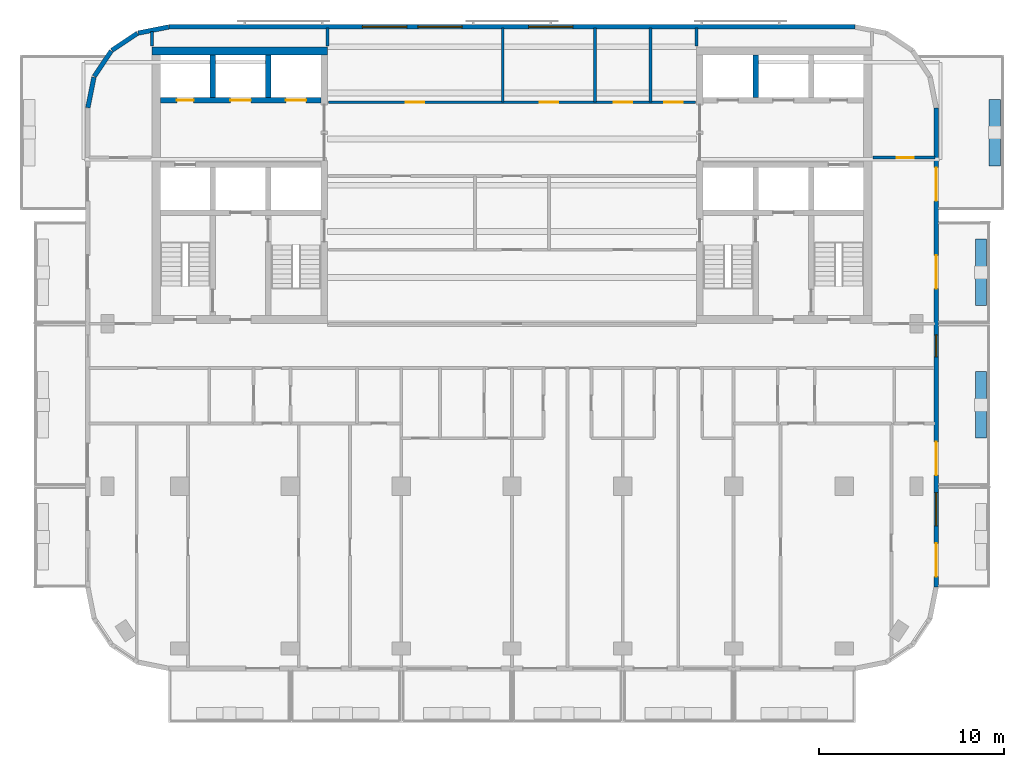
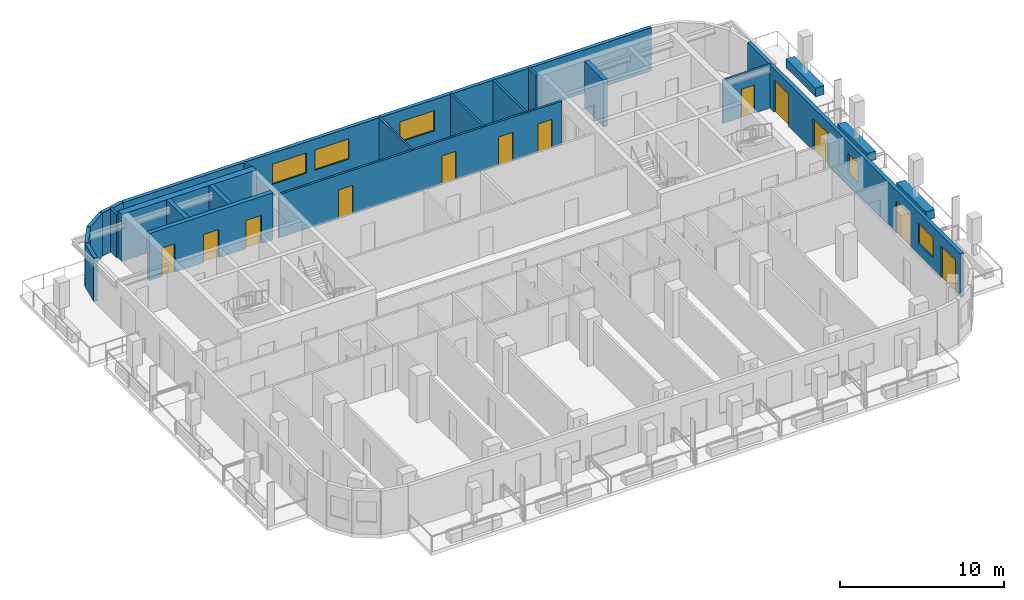
# One storey, part 6 of 11: 22 walls, 12 doors, 5 windows, 17 openings.
"""IFC4 building model written with IfcOpenShell, lengths in metres."""

from ifc_helpers import new_model, si_unit, direction, frame, frame_2d, origin, place, context, subcontext, project, spatial, rectangle, extrude, material, layer, layer_set, type_object, element, fill, save


model = new_model("IFC4")

# Units and contexts
model_context = context("Model", 3, precision=1e-05, world=origin(), true_north=direction((0.0, 1.0)))
body_context = subcontext(model_context, "Body", "Model", "MODEL_VIEW")
ifc_project = project(units=[si_unit("LENGTHUNIT", "METRE"), si_unit("AREAUNIT", "SQUARE_METRE"), si_unit("VOLUMEUNIT", "CUBIC_METRE"), si_unit("PLANEANGLEUNIT", "RADIAN"), si_unit("MASSUNIT", "GRAM", prefix="KILO")], contexts=[model_context])

# Site, building, storey
site_placement = place(None, origin())
site = spatial("IfcSite", under=ifc_project, at=site_placement, CompositionType="ELEMENT")
building_placement = place(site_placement, origin())
building = spatial("IfcBuilding", under=site, at=building_placement, Name="Torana Hotel and Residences", CompositionType="ELEMENT")
storey_placement = place(building_placement, frame((0.0, 0.0, 273.60009765625)))
storey = spatial("IfcBuildingStorey", under=building, at=storey_placement, Name="L72", CompositionType="ELEMENT", Elevation=273.60009765625)

# Wall, openings, doors
ifc_material_1 = material(Name="Concrete C60/75", Category="concrete")
ifc_layer_1 = layer(ifc_material_1, 0.300048828125)
ifc_layer_set_1 = layer_set([ifc_layer_1], Name="CORE WALL 300 C60/75")
wall_type_1 = type_object("IfcWallType", Name="CORE WALL 300 C60/75", PredefinedType="SHEAR", material=ifc_layer_set_1)
wall_1_placement = place(storey_placement, frame((-19.050048828125, -2.89990234375, 0.0), z_axis=(0.0, 0.0, 1.0), x_axis=(1.0, 0.0, 0.0)))
wall_1 = element("IfcWall", 1, at=wall_1_placement, inside=storey, type_object=wall_type_1, Name="Core wall W row-N", PredefinedType="SHEAR", context=body_context, shape_type="SweptSolid", body=[
    extrude(rectangle(XDim=8.699951171875, YDim=0.300048828125, at=frame_2d((4.35009765625, 0.0))), origin(), (0.0, 0.0, 1.0), 3.5),
])
opening_1_placement = place(wall_1_placement, frame((6.800048828125, 0.0, 0.0)))
opening_1 = element("IfcOpeningElement", 2, at=opening_1_placement, cuts=wall_1, Name="Opening LD", PredefinedType="OPENING", context=body_context, shape_type="SweptSolid", body=[
    extrude(rectangle(XDim=1.10009765625, YDim=2.10009765625, at=frame_2d((0.550048828125, 1.050048828125))), frame((0.0, 0.159912109375, 0.0), z_axis=(0.0, -1.0, 0.0), x_axis=(1.0, 0.0, 0.0)), (0.0, 0.0, 1.0), 0.320068359375),
])
opening_2_placement = place(wall_1_placement, frame((3.800048828125, 0.0, 0.0)))
opening_2 = element("IfcOpeningElement", 3, at=opening_2_placement, cuts=wall_1, Name="Opening LD", PredefinedType="OPENING", context=body_context, shape_type="SweptSolid", body=[
    extrude(rectangle(XDim=1.10009765625, YDim=2.10009765625, at=frame_2d((0.550048828125, 1.050048828125))), frame((0.0, 0.159912109375, 0.0), z_axis=(0.0, -1.0, 0.0), x_axis=(1.0, 0.0, 0.0)), (0.0, 0.0, 1.0), 0.320068359375),
])
opening_3_placement = place(wall_1_placement, frame((0.89990234375, 0.0, 0.0)))
opening_3 = element("IfcOpeningElement", 4, at=opening_3_placement, cuts=wall_1, Name="Opening L72-06", PredefinedType="OPENING", context=body_context, shape_type="SweptSolid", body=[
    extrude(rectangle(XDim=0.89990234375, YDim=2.10009765625, at=frame_2d((0.449951171875, 1.050048828125))), frame((0.0, 0.159912109375, 0.0), z_axis=(0.0, -1.0, 0.0), x_axis=(1.0, 0.0, 0.0)), (0.0, 0.0, 1.0), 0.320068359375),
])
ifc_material_2 = material(Name="Stainless steel 316", Category="steel")
door_type_1 = type_object("IfcDoorType", Name="LIFT LANDING DOOR LD 1100x2100", OperationType="DOUBLE_DOOR_SLIDING", PredefinedType="USERDEFINED", material=ifc_material_2)
door_1_placement = place(opening_1_placement, origin())
door_1 = element("IfcDoor", 5, at=door_1_placement, inside=storey, type_object=door_type_1, Name="Lift landing door H1 L72", ObjectType="LIFT LANDING DOOR", OperationType="DOUBLE_DOOR_SLIDING", OverallHeight=2.10009765625, OverallWidth=1.10009765625, PredefinedType="USERDEFINED", context=body_context, shape_type="SweptSolid", body=[
    extrude(rectangle(XDim=1.10009765625, YDim=2.10009765625, at=frame_2d((0.550048828125, 1.050048828125))), frame((0.0, 0.02490234375, 0.0), z_axis=(0.0, -1.0, 0.0), x_axis=(1.0, 0.0, 0.0)), (0.0, 0.0, 1.0), 0.050048828125),
])
fill(opening_1, door_1)
door_2_placement = place(opening_2_placement, origin())
door_2 = element("IfcDoor", 6, at=door_2_placement, inside=storey, type_object=door_type_1, Name="Lift landing door H2 L72", ObjectType="LIFT LANDING DOOR", OperationType="DOUBLE_DOOR_SLIDING", OverallHeight=2.10009765625, OverallWidth=1.10009765625, PredefinedType="USERDEFINED", context=body_context, shape_type="SweptSolid", body=[
    extrude(rectangle(XDim=1.10009765625, YDim=2.10009765625, at=frame_2d((0.550048828125, 1.050048828125))), frame((0.0, 0.02490234375, 0.0), z_axis=(0.0, -1.0, 0.0), x_axis=(1.0, 0.0, 0.0)), (0.0, 0.0, 1.0), 0.050048828125),
])
fill(opening_2, door_2)
ifc_material_3 = material(Name="Steel S235", Category="steel")
door_type_2 = type_object("IfcDoorType", Name="RISER ACCESS DOOR D5 900x2100", OperationType="SINGLE_SWING_LEFT", PredefinedType="DOOR", material=ifc_material_3)
door_3_placement = place(opening_3_placement, origin())
door_3 = element("IfcDoor", 7, at=door_3_placement, inside=storey, type_object=door_type_2, Name="N2 door L72", OperationType="SINGLE_SWING_RIGHT", OverallHeight=2.10009765625, OverallWidth=0.89990234375, PredefinedType="DOOR", context=body_context, shape_type="SweptSolid", body=[
    extrude(rectangle(XDim=0.89990234375, YDim=2.10009765625, at=frame_2d((0.449951171875, 1.050048828125))), frame((0.0, 0.02490234375, 0.0), z_axis=(0.0, -1.0, 0.0), x_axis=(1.0, 0.0, 0.0)), (0.0, 0.0, 1.0), 0.050048828125),
])
fill(opening_3, door_3)

# Walls
for number, where, z_axis, x_axis, name in (
    (8, (-13.199951171875, -2.75, 0.0), (0.0, 0.0, 1.0), (0.0, 1.0, 0.0), "Core wall W x3.05-N"),
    (9, (-16.199951171875, -2.75, 0.0), (0.0, 0.0, 1.0), (0.0, 1.0, 0.0), "Core wall W x6.05-N"),
    (10, (13.199951171875, -2.75, 0.0), (0.0, 0.0, 1.0), (0.0, 1.0, 0.0), "Core wall E x3.05-N"),
):
    element("IfcWall", number, at=place(storey_placement, frame(where, z_axis=z_axis, x_axis=x_axis)), inside=storey, type_object=wall_type_1, Name=name, PredefinedType="SHEAR", context=body_context, shape_type="SweptSolid", body=[
        extrude(rectangle(XDim=2.300048828125, YDim=0.300048828125, at=frame_2d((1.14990234375, 0.0))), origin(), (0.0, 0.0, 1.0), 3.5),
    ])
ifc_material_4 = material(Name="Concrete C60/75", Category="concrete")
ifc_layer_2 = layer(ifc_material_4, 0.449951171875)
ifc_layer_set_2 = layer_set([ifc_layer_2], Name="CORE WALL 450 C60/75")
wall_type_2 = type_object("IfcWallType", Name="CORE WALL 450 C60/75", PredefinedType="SHEAR", material=ifc_layer_set_2)
wall_2_placement = place(storey_placement, frame((-19.5, -0.22509765625, 0.0), z_axis=(0.0, 0.0, 1.0), x_axis=(1.0, 0.0, 0.0)))
element("IfcWall", 11, at=wall_2_placement, inside=storey, type_object=wall_type_2, Name="Core wall W rear", PredefinedType="SHEAR", context=body_context, shape_type="SweptSolid", body=[
    extrude(rectangle(XDim=9.5, YDim=0.449951171875, at=frame_2d((4.75, 0.0))), origin(), (0.0, 0.0, 1.0), 3.5),
])
ifc_material_5 = material(Name="Black aluminium composite panel", Category="aluminium")
ifc_layer_3 = layer(ifc_material_5, 0.00390625, Name="Cladding", Category="cladding")
ifc_material_6 = material(Name="Ventilated air cavity")
ifc_layer_4 = layer(ifc_material_6, 0.0400390625, Name="Ventilated cavity", Category="cavity")
ifc_material_7 = material(Name="Mineral wool insulation")
ifc_layer_5 = layer(ifc_material_7, 0.090087890625, Name="Insulation", Category="insulation")
ifc_material_8 = material(Name="Steel S280GD", Category="steel")
ifc_layer_6 = layer(ifc_material_8, 0.092041015625, Name="Steel stud frame", Category="structure")
ifc_material_9 = material(Name="Fire rated plasterboard")
ifc_layer_7 = layer(ifc_material_9, 0.011962890625, Name="Inner board", Category="finish")
ifc_layer_8 = layer(ifc_material_9, 0.011962890625, Name="Second board", Category="finish")
ifc_layer_set_3 = layer_set([ifc_layer_3, ifc_layer_4, ifc_layer_5, ifc_layer_6, ifc_layer_7, ifc_layer_8], Name="EW1 EXTERNAL WALL BLACK METAL CLAD 250")
wall_type_3 = type_object("IfcWallType", Name="EW1 EXTERNAL WALL BLACK METAL CLAD 250", PredefinedType="SOLIDWALL", material=ifc_layer_set_3)
wall_3_placement = place(storey_placement, frame((-18.599853515625, 1.072509765625, 0.0), z_axis=(0.0, 0.0, 1.0), x_axis=(-0.980797896849, -0.195026884138, 0.0)))
element("IfcWall", 12, at=wall_3_placement, inside=storey, type_object=wall_type_3, Name="External wall L72 e0.5", PredefinedType="SOLIDWALL", context=body_context, shape_type="SweptSolid", body=[
    extrude(rectangle(XDim=1.68115234375, YDim=0.25, at=frame_2d((0.840576171875, 0.0))), origin(), (0.0, 0.0, 1.0), 3.219970703125),
])
for number, where, z_axis, x_axis, name in (
    (13, (-20.2939453125, 0.725830078125, 0.0), (0.0, 0.0, 1.0), (-0.831482937015, -0.55555029066, 0.0), "External wall L72 e0.6"),
    (14, (-21.705810546875, -0.228759765625, 0.0), (0.0, 0.0, 1.0), (-0.55555029066, -0.831482937015, 0.0), "External wall L72 e0.7"),
):
    element("IfcWall", number, at=place(storey_placement, frame(where, z_axis=z_axis, x_axis=x_axis)), inside=storey, type_object=wall_type_3, Name=name, PredefinedType="SOLIDWALL", context=body_context, shape_type="SweptSolid", body=[
        extrude(rectangle(XDim=1.65625, YDim=0.25, at=frame_2d((0.828125, 0.0))), origin(), (0.0, 0.0, 1.0), 3.219970703125),
    ])
wall_4_placement = place(storey_placement, frame((-22.64453125, -1.651123046875, 0.0), z_axis=(0.0, 0.0, 1.0), x_axis=(-0.19513878023, -0.980775640221, 0.0)))
element("IfcWall", 15, at=wall_4_placement, inside=storey, type_object=wall_type_3, Name="External wall L72 e0.8", PredefinedType="SOLIDWALL", context=body_context, shape_type="SweptSolid", body=[
    extrude(rectangle(XDim=1.681396484375, YDim=0.25, at=frame_2d((0.8408203125, 0.0))), origin(), (0.0, 0.0, 1.0), 3.219970703125),
])

# Wall, openings, doors, windows
wall_5_placement = place(storey_placement, frame((22.97509765625, -29.275390625, 0.0), z_axis=(0.0, 0.0, 1.0), x_axis=(0.0, 1.0, 0.0)))
wall_5 = element("IfcWall", 16, at=wall_5_placement, inside=storey, type_object=wall_type_3, Name="External wall L72 e0.19", PredefinedType="SOLIDWALL", context=body_context, shape_type="SweptSolid", body=[
    extrude(rectangle(XDim=25.95068359375, YDim=0.25, at=frame_2d((12.975341796875, 0.0))), origin(), (0.0, 0.0, 1.0), 3.219970703125),
])
opening_4_placement = place(wall_5_placement, frame((0.575439453125, 0.0, 0.0)))
opening_4 = element("IfcOpeningElement", 17, at=opening_4_placement, cuts=wall_5, Name="Opening L72-E07", PredefinedType="OPENING", context=body_context, shape_type="SweptSolid", body=[
    extrude(rectangle(XDim=1.800048828125, YDim=2.39990234375, at=frame_2d((0.89990234375, 1.199951171875))), frame((0.0, 0.135009765625, 0.0), z_axis=(0.0, -1.0, 0.0), x_axis=(1.0, 0.0, 0.0)), (0.0, 0.0, 1.0), 0.27001953125),
])
opening_5_placement = place(wall_5_placement, frame((3.325439453125, 0.0, 0.89990234375)))
opening_5 = element("IfcOpeningElement", 18, at=opening_5_placement, cuts=wall_5, Name="Opening W4", PredefinedType="OPENING", context=body_context, shape_type="SweptSolid", body=[
    extrude(rectangle(XDim=1.800048828125, YDim=1.5, at=frame_2d((0.89990234375, 0.75))), frame((0.0, 0.135009765625, 0.0), z_axis=(0.0, -1.0, 0.0), x_axis=(1.0, 0.0, 0.0)), (0.0, 0.0, 1.0), 0.27001953125),
])
opening_6_placement = place(wall_5_placement, frame((6.075439453125, 0.0, 0.0)))
opening_6 = element("IfcOpeningElement", 19, at=opening_6_placement, cuts=wall_5, Name="Opening L72-E08", PredefinedType="OPENING", context=body_context, shape_type="SweptSolid", body=[
    extrude(rectangle(XDim=1.800048828125, YDim=2.39990234375, at=frame_2d((0.89990234375, 1.199951171875))), frame((0.0, 0.135009765625, 0.0), z_axis=(0.0, -1.0, 0.0), x_axis=(1.0, 0.0, 0.0)), (0.0, 0.0, 1.0), 0.27001953125),
])
opening_7_placement = place(wall_5_placement, frame((12.475341796875, 0.0, 0.89990234375)))
opening_7 = element("IfcOpeningElement", 20, at=opening_7_placement, cuts=wall_5, Name="Opening W5", PredefinedType="OPENING", context=body_context, shape_type="SweptSolid", body=[
    extrude(rectangle(XDim=1.199951171875, YDim=1.5, at=frame_2d((0.60009765625, 0.75))), frame((0.0, 0.135009765625, 0.0), z_axis=(0.0, -1.0, 0.0), x_axis=(1.0, 0.0, 0.0)), (0.0, 0.0, 1.0), 0.27001953125),
])
opening_8_placement = place(wall_5_placement, frame((16.17529296875, 0.0, 0.0)))
opening_8 = element("IfcOpeningElement", 21, at=opening_8_placement, cuts=wall_5, Name="Opening L72-E09", PredefinedType="OPENING", context=body_context, shape_type="SweptSolid", body=[
    extrude(rectangle(XDim=1.800048828125, YDim=2.39990234375, at=frame_2d((0.89990234375, 1.199951171875))), frame((0.0, 0.135009765625, 0.0), z_axis=(0.0, -1.0, 0.0), x_axis=(1.0, 0.0, 0.0)), (0.0, 0.0, 1.0), 0.27001953125),
])
opening_9_placement = place(wall_5_placement, frame((20.92529296875, 0.0, 0.0)))
opening_9 = element("IfcOpeningElement", 22, at=opening_9_placement, cuts=wall_5, Name="Opening L72-E10", PredefinedType="OPENING", context=body_context, shape_type="SweptSolid", body=[
    extrude(rectangle(XDim=1.800048828125, YDim=2.39990234375, at=frame_2d((0.89990234375, 1.199951171875))), frame((0.0, 0.135009765625, 0.0), z_axis=(0.0, -1.0, 0.0), x_axis=(1.0, 0.0, 0.0)), (0.0, 0.0, 1.0), 0.27001953125),
])
ifc_material_10 = material(Name="Dark glass in black aluminium frame", Category="aluminium")
door_type_3 = type_object("IfcDoorType", Name="DB1 BALCONY DOOR 1800x2400", OperationType="DOUBLE_DOOR_SINGLE_SWING", PredefinedType="DOOR", material=ifc_material_10)
door_4_placement = place(opening_4_placement, origin())
door_4 = element("IfcDoor", 23, at=door_4_placement, inside=storey, type_object=door_type_3, Name="Balcony door L72", OperationType="DOUBLE_DOOR_SINGLE_SWING", OverallHeight=2.39990234375, OverallWidth=1.800048828125, PredefinedType="DOOR", context=body_context, shape_type="SweptSolid", body=[
    extrude(rectangle(XDim=1.800048828125, YDim=2.39990234375, at=frame_2d((0.89990234375, 1.199951171875))), frame((0.0, 0.02490234375, 0.0), z_axis=(0.0, -1.0, 0.0), x_axis=(1.0, 0.0, 0.0)), (0.0, 0.0, 1.0), 0.050048828125),
])
fill(opening_4, door_4)
door_5_placement = place(opening_6_placement, origin())
door_5 = element("IfcDoor", 24, at=door_5_placement, inside=storey, type_object=door_type_3, Name="Balcony door L72", OperationType="DOUBLE_DOOR_SINGLE_SWING", OverallHeight=2.39990234375, OverallWidth=1.800048828125, PredefinedType="DOOR", context=body_context, shape_type="SweptSolid", body=[
    extrude(rectangle(XDim=1.800048828125, YDim=2.39990234375, at=frame_2d((0.89990234375, 1.199951171875))), frame((0.0, 0.02490234375, 0.0), z_axis=(0.0, -1.0, 0.0), x_axis=(1.0, 0.0, 0.0)), (0.0, 0.0, 1.0), 0.050048828125),
])
fill(opening_6, door_5)
door_6_placement = place(opening_8_placement, origin())
door_6 = element("IfcDoor", 25, at=door_6_placement, inside=storey, type_object=door_type_3, Name="Balcony door L72", OperationType="DOUBLE_DOOR_SINGLE_SWING", OverallHeight=2.39990234375, OverallWidth=1.800048828125, PredefinedType="DOOR", context=body_context, shape_type="SweptSolid", body=[
    extrude(rectangle(XDim=1.800048828125, YDim=2.39990234375, at=frame_2d((0.89990234375, 1.199951171875))), frame((0.0, 0.02490234375, 0.0), z_axis=(0.0, -1.0, 0.0), x_axis=(1.0, 0.0, 0.0)), (0.0, 0.0, 1.0), 0.050048828125),
])
fill(opening_8, door_6)
door_7_placement = place(opening_9_placement, origin())
door_7 = element("IfcDoor", 26, at=door_7_placement, inside=storey, type_object=door_type_3, Name="Balcony door L72", OperationType="DOUBLE_DOOR_SINGLE_SWING", OverallHeight=2.39990234375, OverallWidth=1.800048828125, PredefinedType="DOOR", context=body_context, shape_type="SweptSolid", body=[
    extrude(rectangle(XDim=1.800048828125, YDim=2.39990234375, at=frame_2d((0.89990234375, 1.199951171875))), frame((0.0, 0.02490234375, 0.0), z_axis=(0.0, -1.0, 0.0), x_axis=(1.0, 0.0, 0.0)), (0.0, 0.0, 1.0), 0.050048828125),
])
fill(opening_9, door_7)
ifc_material_11 = material(Name="Dark glass in black aluminium frame", Category="aluminium")
window_type_1 = type_object("IfcWindowType", Name="W4 RESIDENCE WINDOW NARROW 1800x1500", PartitioningType="SINGLE_PANEL", PredefinedType="WINDOW", material=ifc_material_11)
window_1_placement = place(opening_5_placement, origin())
window_1 = element("IfcWindow", 27, at=window_1_placement, inside=storey, type_object=window_type_1, Name="Window L72", OverallHeight=1.5, OverallWidth=1.800048828125, PartitioningType="SINGLE_PANEL", PredefinedType="WINDOW", context=body_context, shape_type="SweptSolid", body=[
    extrude(rectangle(XDim=1.800048828125, YDim=1.5, at=frame_2d((0.89990234375, 0.75))), frame((0.0, 0.030029296875, 0.0), z_axis=(0.0, -1.0, 0.0), x_axis=(1.0, 0.0, 0.0)), (0.0, 0.0, 1.0), 0.06005859375),
])
fill(opening_5, window_1)
ifc_material_12 = material(Name="Dark glass in black aluminium frame", Category="aluminium")
window_type_2 = type_object("IfcWindowType", Name="W5 CORNER FACET WINDOW 1200x1500", PartitioningType="SINGLE_PANEL", PredefinedType="WINDOW", material=ifc_material_12)
window_2_placement = place(opening_7_placement, origin())
window_2 = element("IfcWindow", 28, at=window_2_placement, inside=storey, type_object=window_type_2, Name="Window L72", OverallHeight=1.5, OverallWidth=1.199951171875, PartitioningType="SINGLE_PANEL", PredefinedType="WINDOW", context=body_context, shape_type="SweptSolid", body=[
    extrude(rectangle(XDim=1.199951171875, YDim=1.5, at=frame_2d((0.60009765625, 0.75))), frame((0.0, 0.030029296875, 0.0), z_axis=(0.0, -1.0, 0.0), x_axis=(1.0, 0.0, 0.0)), (0.0, 0.0, 1.0), 0.06005859375),
])
fill(opening_7, window_2)

# Wall, openings, windows
ifc_material_13 = material(Name="Concrete C40/50 precast", Category="concrete")
ifc_layer_9 = layer(ifc_material_13, 0.10009765625, Name="Perforated block", Category="cladding")
ifc_material_14 = material(Name="Air cavity")
ifc_layer_10 = layer(ifc_material_14, 0.030029296875, Name="Cavity", Category="cavity")
ifc_material_15 = material(Name="Concrete C40/50", Category="concrete")
ifc_layer_11 = layer(ifc_material_15, 0.10009765625, Name="Wall", Category="structure")
ifc_material_16 = material(Name="Plaster and paint")
ifc_layer_12 = layer(ifc_material_16, 0.02001953125, Name="Inner finish", Category="finish")
ifc_layer_set_4 = layer_set([ifc_layer_9, ifc_layer_10, ifc_layer_11, ifc_layer_12], Name="EW2 PERFORATED BLOCK SCREEN WALL 250")
wall_type_4 = type_object("IfcWallType", Name="EW2 PERFORATED BLOCK SCREEN WALL 250", PredefinedType="SOLIDWALL", material=ifc_layer_set_4)
wall_6_placement = place(storey_placement, frame((18.575439453125, 1.074951171875, 0.0), z_axis=(0.0, 0.0, 1.0), x_axis=(-1.0, 0.0, 0.0)))
wall_6 = element("IfcWall", 29, at=wall_6_placement, inside=storey, type_object=wall_type_4, Name="External wall L72 e0.4", PredefinedType="SOLIDWALL", context=body_context, shape_type="SweptSolid", body=[
    extrude(rectangle(XDim=37.15087890625, YDim=0.25, at=frame_2d((18.575439453125, 0.0))), origin(), (0.0, 0.0, 1.0), 3.219970703125),
])
opening_10_placement = place(wall_6_placement, frame((15.275390625, 0.0, 0.89990234375)))
opening_10 = element("IfcOpeningElement", 30, at=opening_10_placement, cuts=wall_6, Name="Opening W3", PredefinedType="OPENING", context=body_context, shape_type="SweptSolid", body=[
    extrude(rectangle(XDim=2.39990234375, YDim=1.5, at=frame_2d((1.199951171875, 0.75))), frame((0.0, 0.135009765625, 0.0), z_axis=(0.0, -1.0, 0.0), x_axis=(1.0, 0.0, 0.0)), (0.0, 0.0, 1.0), 0.27001953125),
])
opening_11_placement = place(wall_6_placement, frame((21.275390625, 0.0, 0.89990234375)))
opening_11 = element("IfcOpeningElement", 31, at=opening_11_placement, cuts=wall_6, Name="Opening W3", PredefinedType="OPENING", context=body_context, shape_type="SweptSolid", body=[
    extrude(rectangle(XDim=2.39990234375, YDim=1.5, at=frame_2d((1.199951171875, 0.75))), frame((0.0, 0.135009765625, 0.0), z_axis=(0.0, -1.0, 0.0), x_axis=(1.0, 0.0, 0.0)), (0.0, 0.0, 1.0), 0.27001953125),
])
opening_12_placement = place(wall_6_placement, frame((24.275390625, 0.0, 0.89990234375)))
opening_12 = element("IfcOpeningElement", 32, at=opening_12_placement, cuts=wall_6, Name="Opening W3", PredefinedType="OPENING", context=body_context, shape_type="SweptSolid", body=[
    extrude(rectangle(XDim=2.39990234375, YDim=1.5, at=frame_2d((1.199951171875, 0.75))), frame((0.0, 0.135009765625, 0.0), z_axis=(0.0, -1.0, 0.0), x_axis=(1.0, 0.0, 0.0)), (0.0, 0.0, 1.0), 0.27001953125),
])
ifc_material_17 = material(Name="Dark glass in black aluminium frame", Category="aluminium")
window_type_3 = type_object("IfcWindowType", Name="W3 RESIDENCE WINDOW 2400x1500", PartitioningType="SINGLE_PANEL", PredefinedType="WINDOW", material=ifc_material_17)
window_3_placement = place(opening_10_placement, origin())
window_3 = element("IfcWindow", 33, at=window_3_placement, inside=storey, type_object=window_type_3, Name="Window L72", OverallHeight=1.5, OverallWidth=2.39990234375, PartitioningType="SINGLE_PANEL", PredefinedType="WINDOW", context=body_context, shape_type="SweptSolid", body=[
    extrude(rectangle(XDim=2.39990234375, YDim=1.5, at=frame_2d((1.199951171875, 0.75))), frame((0.0, 0.030029296875, 0.0), z_axis=(0.0, -1.0, 0.0), x_axis=(1.0, 0.0, 0.0)), (0.0, 0.0, 1.0), 0.06005859375),
])
fill(opening_10, window_3)
window_4_placement = place(opening_11_placement, origin())
window_4 = element("IfcWindow", 34, at=window_4_placement, inside=storey, type_object=window_type_3, Name="Window L72", OverallHeight=1.5, OverallWidth=2.39990234375, PartitioningType="SINGLE_PANEL", PredefinedType="WINDOW", context=body_context, shape_type="SweptSolid", body=[
    extrude(rectangle(XDim=2.39990234375, YDim=1.5, at=frame_2d((1.199951171875, 0.75))), frame((0.0, 0.030029296875, 0.0), z_axis=(0.0, -1.0, 0.0), x_axis=(1.0, 0.0, 0.0)), (0.0, 0.0, 1.0), 0.06005859375),
])
fill(opening_11, window_4)
window_5_placement = place(opening_12_placement, origin())
window_5 = element("IfcWindow", 35, at=window_5_placement, inside=storey, type_object=window_type_3, Name="Window L72", OverallHeight=1.5, OverallWidth=2.39990234375, PartitioningType="SINGLE_PANEL", PredefinedType="WINDOW", context=body_context, shape_type="SweptSolid", body=[
    extrude(rectangle(XDim=2.39990234375, YDim=1.5, at=frame_2d((1.199951171875, 0.75))), frame((0.0, 0.030029296875, 0.0), z_axis=(0.0, -1.0, 0.0), x_axis=(1.0, 0.0, 0.0)), (0.0, 0.0, 1.0), 0.06005859375),
])
fill(opening_12, window_5)

# Wall, openings, doors
ifc_material_18 = material(Name="Gypsum plaster")
ifc_layer_13 = layer(ifc_material_18, 0.014892578125, Name="Plaster", Category="finish")
ifc_material_19 = material(Name="Concrete blockwork", Category="masonry")
ifc_layer_14 = layer(ifc_material_19, 0.1201171875, Name="Blockwork", Category="structure")
ifc_layer_15 = layer(ifc_material_18, 0.014892578125, Name="Plaster", Category="finish")
ifc_layer_set_5 = layer_set([ifc_layer_13, ifc_layer_14, ifc_layer_15], Name="FIRE PARTITION 150 BLOCKWORK")
wall_type_5 = type_object("IfcWallType", Name="FIRE PARTITION 150 BLOCKWORK", PredefinedType="PARTITIONING", material=ifc_layer_set_5)
wall_7_placement = place(storey_placement, frame((-9.949951171875, -3.0, 0.0), z_axis=(0.0, 0.0, 1.0), x_axis=(1.0, 0.0, 0.0)))
wall_7 = element("IfcWall", 36, at=wall_7_placement, inside=storey, type_object=wall_type_5, Name="Partition L72", PredefinedType="PARTITIONING", context=body_context, shape_type="SweptSolid", body=[
    extrude(rectangle(XDim=19.89990234375, YDim=0.14990234375, at=frame_2d((9.949951171875, 0.0))), origin(), (0.0, 0.0, 1.0), 3.219970703125),
])
opening_13_placement = place(wall_7_placement, frame((4.199951171875, 0.0, 0.0)))
opening_13 = element("IfcOpeningElement", 37, at=opening_13_placement, cuts=wall_7, Name="Opening L72-32", PredefinedType="OPENING", context=body_context, shape_type="SweptSolid", body=[
    extrude(rectangle(XDim=1.0, YDim=2.10009765625, at=frame_2d((0.5, 1.050048828125))), frame((0.0, 0.0849609375, 0.0), z_axis=(0.0, -1.0, 0.0), x_axis=(1.0, 0.0, 0.0)), (0.0, 0.0, 1.0), 0.169921875),
])
opening_14_placement = place(wall_7_placement, frame((11.449951171875, 0.0, 0.0)))
opening_14 = element("IfcOpeningElement", 38, at=opening_14_placement, cuts=wall_7, Name="Opening L72-33", PredefinedType="OPENING", context=body_context, shape_type="SweptSolid", body=[
    extrude(rectangle(XDim=1.0, YDim=2.10009765625, at=frame_2d((0.5, 1.050048828125))), frame((0.0, 0.0849609375, 0.0), z_axis=(0.0, -1.0, 0.0), x_axis=(1.0, 0.0, 0.0)), (0.0, 0.0, 1.0), 0.169921875),
])
opening_15_placement = place(wall_7_placement, frame((15.449951171875, 0.0, 0.0)))
opening_15 = element("IfcOpeningElement", 39, at=opening_15_placement, cuts=wall_7, Name="Opening L72-34", PredefinedType="OPENING", context=body_context, shape_type="SweptSolid", body=[
    extrude(rectangle(XDim=1.0, YDim=2.10009765625, at=frame_2d((0.5, 1.050048828125))), frame((0.0, 0.0849609375, 0.0), z_axis=(0.0, -1.0, 0.0), x_axis=(1.0, 0.0, 0.0)), (0.0, 0.0, 1.0), 0.169921875),
])
opening_16_placement = place(wall_7_placement, frame((18.199951171875, 0.0, 0.0)))
opening_16 = element("IfcOpeningElement", 40, at=opening_16_placement, cuts=wall_7, Name="Opening L72-35", PredefinedType="OPENING", context=body_context, shape_type="SweptSolid", body=[
    extrude(rectangle(XDim=1.0, YDim=2.10009765625, at=frame_2d((0.5, 1.050048828125))), frame((0.0, 0.0849609375, 0.0), z_axis=(0.0, -1.0, 0.0), x_axis=(1.0, 0.0, 0.0)), (0.0, 0.0, 1.0), 0.169921875),
])
ifc_material_20 = material(Name="Steel S235", Category="steel")
door_type_4 = type_object("IfcDoorType", Name="ENTRY FIRE DOOR D6 1000x2100", OperationType="SINGLE_SWING_LEFT", PredefinedType="DOOR", material=ifc_material_20)
door_8_placement = place(opening_13_placement, origin())
door_8 = element("IfcDoor", 41, at=door_8_placement, inside=storey, type_object=door_type_4, Name="Door L72", OperationType="SINGLE_SWING_RIGHT", OverallHeight=2.10009765625, OverallWidth=1.0, PredefinedType="DOOR", context=body_context, shape_type="SweptSolid", body=[
    extrude(rectangle(XDim=1.0, YDim=2.10009765625, at=frame_2d((0.5, 1.050048828125))), frame((0.0, 0.02490234375, 0.0), z_axis=(0.0, -1.0, 0.0), x_axis=(1.0, 0.0, 0.0)), (0.0, 0.0, 1.0), 0.050048828125),
])
fill(opening_13, door_8)
door_9_placement = place(opening_14_placement, origin())
door_9 = element("IfcDoor", 42, at=door_9_placement, inside=storey, type_object=door_type_4, Name="Door L72", OperationType="SINGLE_SWING_RIGHT", OverallHeight=2.10009765625, OverallWidth=1.0, PredefinedType="DOOR", context=body_context, shape_type="SweptSolid", body=[
    extrude(rectangle(XDim=1.0, YDim=2.10009765625, at=frame_2d((0.5, 1.050048828125))), frame((0.0, 0.02490234375, 0.0), z_axis=(0.0, -1.0, 0.0), x_axis=(1.0, 0.0, 0.0)), (0.0, 0.0, 1.0), 0.050048828125),
])
fill(opening_14, door_9)
door_10_placement = place(opening_15_placement, origin())
door_10 = element("IfcDoor", 43, at=door_10_placement, inside=storey, type_object=door_type_4, Name="Door L72", OperationType="SINGLE_SWING_RIGHT", OverallHeight=2.10009765625, OverallWidth=1.0, PredefinedType="DOOR", context=body_context, shape_type="SweptSolid", body=[
    extrude(rectangle(XDim=1.0, YDim=2.10009765625, at=frame_2d((0.5, 1.050048828125))), frame((0.0, 0.02490234375, 0.0), z_axis=(0.0, -1.0, 0.0), x_axis=(1.0, 0.0, 0.0)), (0.0, 0.0, 1.0), 0.050048828125),
])
fill(opening_15, door_10)
door_11_placement = place(opening_16_placement, origin())
door_11 = element("IfcDoor", 44, at=door_11_placement, inside=storey, type_object=door_type_4, Name="Door L72", OperationType="SINGLE_SWING_RIGHT", OverallHeight=2.10009765625, OverallWidth=1.0, PredefinedType="DOOR", context=body_context, shape_type="SweptSolid", body=[
    extrude(rectangle(XDim=1.0, YDim=2.10009765625, at=frame_2d((0.5, 1.050048828125))), frame((0.0, 0.02490234375, 0.0), z_axis=(0.0, -1.0, 0.0), x_axis=(1.0, 0.0, 0.0)), (0.0, 0.0, 1.0), 0.050048828125),
])
fill(opening_16, door_11)

# Walls
ifc_material_21 = material(Name="Gypsum plasterboard")
ifc_layer_16 = layer(ifc_material_21, 0.012451171875, Name="Plasterboard", Category="finish")
ifc_layer_17 = layer(ifc_material_21, 0.012451171875, Name="Plasterboard", Category="finish")
ifc_layer_18 = layer(ifc_material_8, 0.10009765625, Name="Steel studs with mineral wool", Category="insulation")
ifc_layer_19 = layer(ifc_material_21, 0.012451171875, Name="Plasterboard", Category="finish")
ifc_layer_20 = layer(ifc_material_21, 0.012451171875, Name="Plasterboard", Category="finish")
ifc_layer_set_6 = layer_set([ifc_layer_16, ifc_layer_17, ifc_layer_18, ifc_layer_19, ifc_layer_20], Name="PARTITION 150 PLASTERBOARD")
wall_type_6 = type_object("IfcWallType", Name="PARTITION 150 PLASTERBOARD", PredefinedType="PARTITIONING", material=ifc_layer_set_6)
wall_8_placement = place(storey_placement, frame((-0.5, -3.0, 0.0), z_axis=(0.0, 0.0, 1.0), x_axis=(0.0, 1.0, 0.0)))
element("IfcWall", 45, at=wall_8_placement, inside=storey, type_object=wall_type_6, Name="Partition L72", PredefinedType="PARTITIONING", context=body_context, shape_type="SweptSolid", body=[
    extrude(rectangle(XDim=4.02001953125, YDim=0.14990234375, at=frame_2d((2.010009765625, 0.0))), origin(), (0.0, 0.0, 1.0), 3.219970703125),
])
wall_9_placement = place(storey_placement, frame((-10.0, 0.050048828125, 0.0), z_axis=(0.0, 0.0, 1.0), x_axis=(0.0, 1.0, 0.0)))
element("IfcWall", 46, at=wall_9_placement, inside=storey, type_object=wall_type_6, Name="Partition L72", PredefinedType="PARTITIONING", context=body_context, shape_type="SweptSolid", body=[
    extrude(rectangle(XDim=0.969970703125, YDim=0.14990234375, at=frame_2d((0.48486328125, 0.0))), origin(), (0.0, 0.0, 1.0), 3.219970703125),
])
wall_10_placement = place(storey_placement, frame((-19.5, 0.050048828125, 0.0), z_axis=(0.0, 0.0, 1.0), x_axis=(0.0, 1.0, 0.0)))
element("IfcWall", 47, at=wall_10_placement, inside=storey, type_object=wall_type_6, Name="Partition L72", PredefinedType="PARTITIONING", context=body_context, shape_type="SweptSolid", body=[
    extrude(rectangle(XDim=0.787353515625, YDim=0.14990234375, at=frame_2d((0.3935546875, 0.0))), origin(), (0.0, 0.0, 1.0), 3.219970703125),
])

# Wall, opening, door
wall_11_placement = place(storey_placement, frame((19.550048828125, -6.0, 0.0), z_axis=(0.0, 0.0, 1.0), x_axis=(1.0, 0.0, 0.0)))
wall_11 = element("IfcWall", 48, at=wall_11_placement, inside=storey, type_object=wall_type_6, Name="Partition L72", PredefinedType="PARTITIONING", context=body_context, shape_type="SweptSolid", body=[
    extrude(rectangle(XDim=3.369873046875, YDim=0.14990234375, at=frame_2d((1.68505859375, 0.0))), origin(), (0.0, 0.0, 1.0), 3.219970703125),
])
opening_17_placement = place(wall_11_placement, frame((1.300048828125, 0.0, 0.0)))
opening_17 = element("IfcOpeningElement", 49, at=opening_17_placement, cuts=wall_11, Name="Opening L72-58", PredefinedType="OPENING", context=body_context, shape_type="SweptSolid", body=[
    extrude(rectangle(XDim=0.89990234375, YDim=2.10009765625, at=frame_2d((0.449951171875, 1.050048828125))), frame((0.0, 0.0849609375, 0.0), z_axis=(0.0, -1.0, 0.0), x_axis=(1.0, 0.0, 0.0)), (0.0, 0.0, 1.0), 0.169921875),
])
ifc_material_22 = material(Name="Timber door, oiled ash", Category="wood")
door_type_5 = type_object("IfcDoorType", Name="ROOM DOOR D7 900x2100", OperationType="SINGLE_SWING_LEFT", PredefinedType="DOOR", material=ifc_material_22)
door_12_placement = place(opening_17_placement, origin())
door_12 = element("IfcDoor", 50, at=door_12_placement, inside=storey, type_object=door_type_5, Name="Door L72", OperationType="SINGLE_SWING_LEFT", OverallHeight=2.10009765625, OverallWidth=0.89990234375, PredefinedType="DOOR", context=body_context, shape_type="SweptSolid", body=[
    extrude(rectangle(XDim=0.89990234375, YDim=2.10009765625, at=frame_2d((0.449951171875, 1.050048828125))), frame((0.0, 0.02490234375, 0.0), z_axis=(0.0, -1.0, 0.0), x_axis=(1.0, 0.0, 0.0)), (0.0, 0.0, 1.0), 0.050048828125),
])
fill(opening_17, door_12)

# Walls
ifc_layer_21 = layer(ifc_material_13, 0.10009765625, Name="Planter shell", Category="structure")
ifc_material_23 = material(Name="Root resistant membrane")
ifc_layer_22 = layer(ifc_material_23, 0.00390625, Name="Waterproofing membrane", Category="membrane")
ifc_material_24 = material(Name="Drainage board with filter fleece")
ifc_layer_23 = layer(ifc_material_24, 0.02001953125, Name="Drainage board", Category="drainage")
ifc_material_25 = material(Name="Growing medium")
ifc_layer_24 = layer(ifc_material_25, 0.47607421875, Name="Planting substrate", Category="soil")
ifc_layer_set_7 = layer_set([ifc_layer_21, ifc_layer_22, ifc_layer_23, ifc_layer_24], Name="PL1 BALCONY PLANTER 600")
wall_type_7 = type_object("IfcWallType", Name="PL1 BALCONY PLANTER 600", PredefinedType="USERDEFINED", material=ifc_layer_set_7)
for number, where, z_axis, x_axis, name in (
    (51, (25.39990234375, -17.60009765625, 0.0), (0.0, 0.0, 1.0), (0.0, -1.0, 0.0), "Planter 12"),
    (52, (25.39990234375, -10.425048828125, 0.0), (0.0, 0.0, 1.0), (0.0, -1.0, 0.0), "Planter 13"),
    (53, (26.14990234375, -2.85009765625, 0.0), (0.0, 0.0, 1.0), (0.0, -1.0, 0.0), "Planter 14"),
):
    element("IfcWall", number, at=place(storey_placement, frame(where, z_axis=z_axis, x_axis=x_axis)), inside=storey, type_object=wall_type_7, Name=name, ObjectType="PLANTER", PredefinedType="USERDEFINED", context=body_context, shape_type="SweptSolid", body=[
        extrude(rectangle(XDim=3.599853515625, YDim=0.60009765625, at=frame_2d((1.7998046875, 0.0))), origin(), (0.0, 0.0, 1.0), 0.64990234375),
    ])
ifc_material_26 = material(Name="Ceramic tile on adhesive")
ifc_layer_25 = layer(ifc_material_26, 0.010009765625, Name="Wall tile", Category="finish")
ifc_material_27 = material(Name="Cement render")
ifc_layer_26 = layer(ifc_material_27, 0.010009765625, Name="Render", Category="finish")
ifc_layer_27 = layer(ifc_material_19, 0.110107421875, Name="Blockwork", Category="structure")
ifc_layer_28 = layer(ifc_material_27, 0.010009765625, Name="Render", Category="finish")
ifc_layer_29 = layer(ifc_material_26, 0.010009765625, Name="Wall tile", Category="finish")
ifc_layer_set_8 = layer_set([ifc_layer_25, ifc_layer_26, ifc_layer_27, ifc_layer_28, ifc_layer_29], Name="WC PARTITION 150")
wall_type_8 = type_object("IfcWallType", Name="WC PARTITION 150", PredefinedType="PLUMBINGWALL", material=ifc_layer_set_8)
wall_12_placement = place(storey_placement, frame((10.0, 0.050048828125, 0.0), z_axis=(0.0, 0.0, 1.0), x_axis=(0.0, 1.0, 0.0)))
element("IfcWall", 54, at=wall_12_placement, inside=storey, type_object=wall_type_8, Name="Partition L72", PredefinedType="PLUMBINGWALL", context=body_context, shape_type="SweptSolid", body=[
    extrude(rectangle(XDim=0.969970703125, YDim=0.14990234375, at=frame_2d((0.48486328125, 0.0))), origin(), (0.0, 0.0, 1.0), 3.219970703125),
])
for number, where, z_axis, x_axis, name in (
    (55, (7.5, -3.0, 0.0), (0.0, 0.0, 1.0), (0.0, 1.0, 0.0), "Partition L72"),
    (56, (4.5, -3.0, 0.0), (0.0, 0.0, 1.0), (0.0, 1.0, 0.0), "Partition L72"),
):
    element("IfcWall", number, at=place(storey_placement, frame(where, z_axis=z_axis, x_axis=x_axis)), inside=storey, type_object=wall_type_8, Name=name, PredefinedType="PLUMBINGWALL", context=body_context, shape_type="SweptSolid", body=[
        extrude(rectangle(XDim=4.02001953125, YDim=0.14990234375, at=frame_2d((2.010009765625, 0.0))), origin(), (0.0, 0.0, 1.0), 3.219970703125),
    ])

save(model, "model.ifc")
